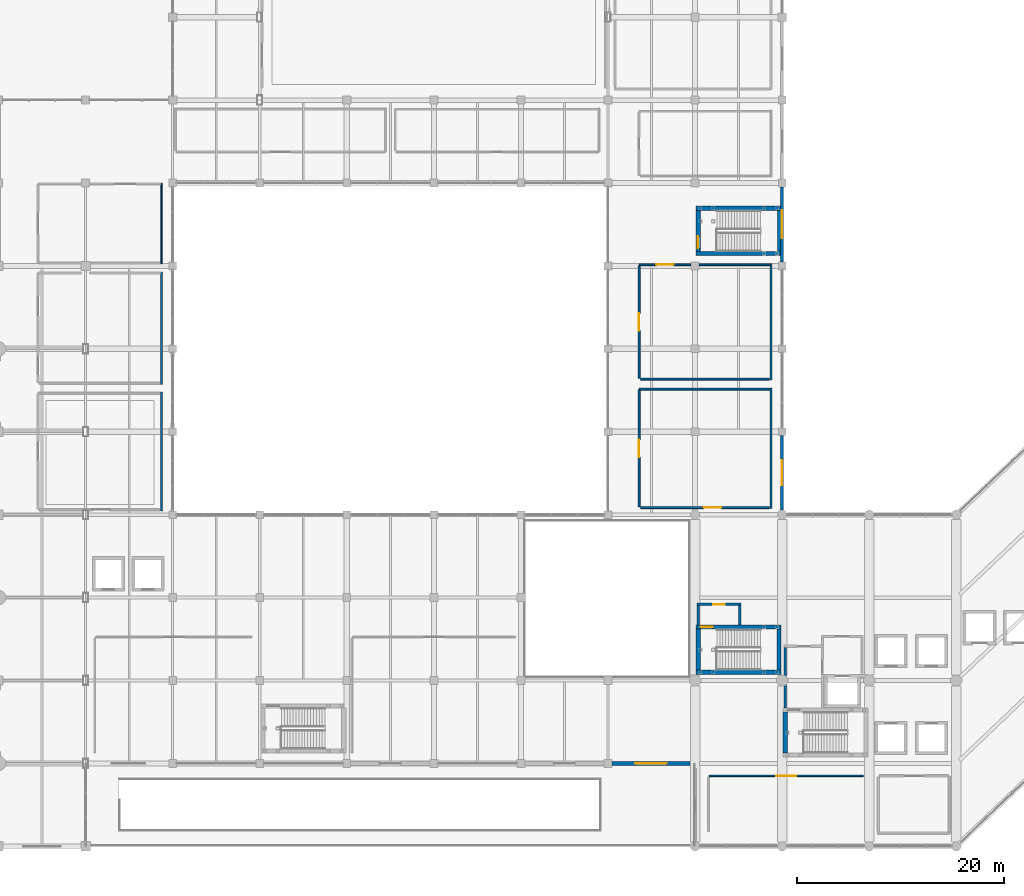
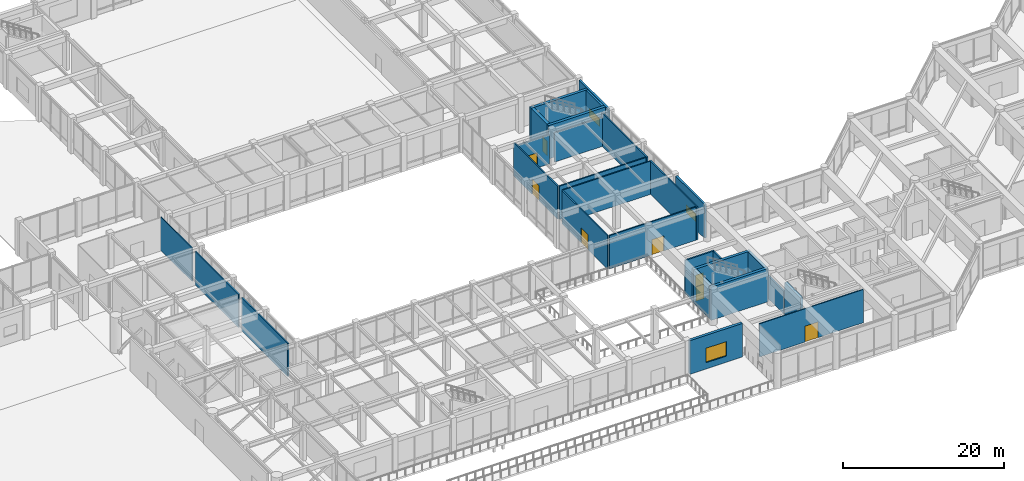
# One storey, part 59 of 79: 29 walls, 8 doors, 3 windows, 11 openings.
"""IFC4 building model written with IfcOpenShell, lengths in metres."""

from ifc_helpers import new_model, si_unit, direction, frame, frame_2d, origin, place, context, subcontext, project, spatial, rectangle, extrude, material, layer, layer_set, type_object, element, fill, save


model = new_model("IFC4")

# Units and contexts
model_context = context("Model", 3, precision=1e-05, world=origin(), true_north=direction((0.0, 1.0)))
body_context = subcontext(model_context, "Body", "Model", "MODEL_VIEW")
ifc_project = project(units=[si_unit("LENGTHUNIT", "METRE"), si_unit("AREAUNIT", "SQUARE_METRE"), si_unit("VOLUMEUNIT", "CUBIC_METRE"), si_unit("PLANEANGLEUNIT", "RADIAN"), si_unit("MASSUNIT", "GRAM", prefix="KILO")], contexts=[model_context])

# Site, building, storey
site_placement = place(None, origin())
site = spatial("IfcSite", under=ifc_project, at=site_placement, CompositionType="ELEMENT")
building_placement = place(site_placement, origin())
building = spatial("IfcBuilding", under=site, at=building_placement, Name="Naruveol Harbour Congress Hotel", CompositionType="ELEMENT")
storey_placement = place(building_placement, frame((0.0, 0.0, 6.0)))
storey = spatial("IfcBuildingStorey", under=building, at=storey_placement, Name="L01", CompositionType="ELEMENT", Elevation=6.0)

# Wall, opening, door
ifc_material_1 = material(Name="Autoclaved Aerated Concrete Block", Category="concrete")
ifc_layer_1 = layer(ifc_material_1, 0.179931640625)
ifc_layer_set_1 = layer_set([ifc_layer_1], Name="Autoclaved Aerated Concrete Block")
wall_type_1 = type_object("IfcWallType", Name="ACOUSTIC HALL PARTITION WALL 180 EI60", PredefinedType="PARTITIONING", material=ifc_layer_set_1)
wall_1_placement = place(storey_placement, frame((112.199951171875, 32.760009765625, 0.0), z_axis=(0.0, 0.0, 1.0), x_axis=(0.0, 1.0, 0.0)))
wall_1 = element("IfcWall", 1, at=wall_1_placement, inside=storey, type_object=wall_type_1, Name="Meeting Room 105 west entry wall PW-180", PredefinedType="PARTITIONING", context=body_context, shape_type="SweptSolid", body=[
    extrude(rectangle(XDim=11.280029296875, YDim=0.179931640625, at=frame_2d((5.64013671875, 0.0))), origin(), (0.0, 0.0, 1.0), 5.044921875),
])
opening_1_placement = place(wall_1_placement, frame((4.7900390625, 0.0, 0.0)))
opening_1 = element("IfcOpeningElement", 2, at=opening_1_placement, cuts=wall_1, Name="Opening ID-MT-49", PredefinedType="OPENING", context=body_context, shape_type="SweptSolid", body=[
    extrude(rectangle(XDim=1.699951171875, YDim=2.300048828125, at=frame_2d((0.85009765625, 1.14990234375))), frame((0.0, 0.099853515625, 0.0), z_axis=(0.0, -1.0, 0.0), x_axis=(1.0, 0.0, 0.0)), (0.0, 0.0, 1.0), 0.199951171875),
])
ifc_material_2 = material(Name="Timber & Steel Acoustic Leaf", Category="steel")
door_type_1 = type_object("IfcDoorType", Name="MEETING SALON DOUBLE DOOR 1700X2300", OperationType="DOUBLE_DOOR_SINGLE_SWING", PredefinedType="DOOR", material=ifc_material_2)
door_1_placement = place(opening_1_placement, origin())
door_1 = element("IfcDoor", 3, at=door_1_placement, inside=storey, type_object=door_type_1, Name="Meeting Room 105 Entrance Door", OperationType="DOUBLE_DOOR_SINGLE_SWING", OverallHeight=2.300048828125, OverallWidth=1.699951171875, PredefinedType="DOOR", context=body_context, shape_type="SweptSolid", body=[
    extrude(rectangle(XDim=1.699951171875, YDim=2.300048828125, at=frame_2d((0.85009765625, 1.14990234375))), frame((0.0, 0.02490234375, 0.0), z_axis=(0.0, -1.0, 0.0), x_axis=(1.0, 0.0, 0.0)), (0.0, 0.0, 1.0), 0.050048828125),
])
fill(opening_1, door_1)

wall_2_placement = place(storey_placement, frame((112.340087890625, 32.679931640625, 0.0), z_axis=(0.0, 0.0, 1.0), x_axis=(1.0, 0.0, 0.0)))
wall_2 = element("IfcWall", 4, at=wall_2_placement, inside=storey, type_object=wall_type_1, Name="Meeting Room 105 south partition PW-180", PredefinedType="PARTITIONING", context=body_context, shape_type="SweptSolid", body=[
    extrude(rectangle(XDim=12.409912109375, YDim=0.179931640625, at=frame_2d((6.205078125, 0.0))), origin(), (0.0, 0.0, 1.0), 5.044921875),
])
opening_2_placement = place(wall_2_placement, frame((6.10009765625, 0.0, 0.0)))
opening_2 = element("IfcOpeningElement", 5, at=opening_2_placement, cuts=wall_2, Name="Opening ID-MT-49B", PredefinedType="OPENING", context=body_context, shape_type="SweptSolid", body=[
    extrude(rectangle(XDim=1.699951171875, YDim=2.300048828125, at=frame_2d((0.85009765625, 1.14990234375))), frame((0.0, 0.099853515625, 0.0), z_axis=(0.0, -1.0, 0.0), x_axis=(1.0, 0.0, 0.0)), (0.0, 0.0, 1.0), 0.199951171875),
])
door_2_placement = place(opening_2_placement, origin())
door_2 = element("IfcDoor", 6, at=door_2_placement, inside=storey, type_object=door_type_1, Name="Meeting Room 105 Second Exit Door", OperationType="DOUBLE_DOOR_SINGLE_SWING", OverallHeight=2.300048828125, OverallWidth=1.699951171875, PredefinedType="DOOR", context=body_context, shape_type="SweptSolid", body=[
    extrude(rectangle(XDim=1.699951171875, YDim=2.300048828125, at=frame_2d((0.85009765625, 1.14990234375))), frame((0.0, 0.02490234375, 0.0), z_axis=(0.0, -1.0, 0.0), x_axis=(1.0, 0.0, 0.0)), (0.0, 0.0, 1.0), 0.050048828125),
])
fill(opening_2, door_2)

wall_3_placement = place(storey_placement, frame((112.199951171875, 45.159912109375, 0.0), z_axis=(0.0, 0.0, 1.0), x_axis=(0.0, 1.0, 0.0)))
wall_3 = element("IfcWall", 7, at=wall_3_placement, inside=storey, type_object=wall_type_1, Name="Meeting Room 106 west entry wall PW-180", PredefinedType="PARTITIONING", context=body_context, shape_type="SweptSolid", body=[
    extrude(rectangle(XDim=10.880126953125, YDim=0.179931640625, at=frame_2d((5.43994140625, 0.0))), origin(), (0.0, 0.0, 1.0), 5.044921875),
])
opening_3_placement = place(wall_3_placement, frame((4.590087890625, 0.0, 0.0)))
opening_3 = element("IfcOpeningElement", 8, at=opening_3_placement, cuts=wall_3, Name="Opening ID-MT-50", PredefinedType="OPENING", context=body_context, shape_type="SweptSolid", body=[
    extrude(rectangle(XDim=1.699951171875, YDim=2.300048828125, at=frame_2d((0.85009765625, 1.14990234375))), frame((0.0, 0.099853515625, 0.0), z_axis=(0.0, -1.0, 0.0), x_axis=(1.0, 0.0, 0.0)), (0.0, 0.0, 1.0), 0.199951171875),
])
door_3_placement = place(opening_3_placement, origin())
door_3 = element("IfcDoor", 9, at=door_3_placement, inside=storey, type_object=door_type_1, Name="Meeting Room 106 Entrance Door", OperationType="DOUBLE_DOOR_SINGLE_SWING", OverallHeight=2.300048828125, OverallWidth=1.699951171875, PredefinedType="DOOR", context=body_context, shape_type="SweptSolid", body=[
    extrude(rectangle(XDim=1.699951171875, YDim=2.300048828125, at=frame_2d((0.85009765625, 1.14990234375))), frame((0.0, 0.02490234375, 0.0), z_axis=(0.0, -1.0, 0.0), x_axis=(1.0, 0.0, 0.0)), (0.0, 0.0, 1.0), 0.050048828125),
])
fill(opening_3, door_3)

# Walls
wall_4_placement = place(storey_placement, frame((112.340087890625, 45.080078125, 0.0), z_axis=(0.0, 0.0, 1.0), x_axis=(1.0, 0.0, 0.0)))
element("IfcWall", 10, at=wall_4_placement, inside=storey, type_object=wall_type_1, Name="Meeting Room 106 south partition PW-180", PredefinedType="PARTITIONING", context=body_context, shape_type="SweptSolid", body=[
    extrude(rectangle(XDim=12.409912109375, YDim=0.179931640625, at=frame_2d((6.205078125, 0.0))), origin(), (0.0, 0.0, 1.0), 5.044921875),
])
wall_5_placement = place(storey_placement, frame((66.1201171875, 32.39990234375, 0.0), z_axis=(0.0, 0.0, 1.0), x_axis=(0.0, 1.0, 0.0)))
element("IfcWall", 11, at=wall_5_placement, inside=storey, type_object=wall_type_1, Name="Meeting Room 101 east enclosure partition PW-180", PredefinedType="PARTITIONING", context=body_context, shape_type="SweptSolid", body=[
    extrude(rectangle(XDim=11.400146484375, YDim=0.179931640625, at=frame_2d((5.7001953125, 0.0))), origin(), (0.0, 0.0, 1.0), 5.044921875),
])
wall_6_placement = place(storey_placement, frame((66.1201171875, 44.60009765625, 0.0), z_axis=(0.0, 0.0, 1.0), x_axis=(0.0, 1.0, 0.0)))
element("IfcWall", 12, at=wall_6_placement, inside=storey, type_object=wall_type_1, Name="Meeting Room 102 east enclosure partition PW-180", PredefinedType="PARTITIONING", context=body_context, shape_type="SweptSolid", body=[
    extrude(rectangle(XDim=10.7998046875, YDim=0.179931640625, at=frame_2d((5.39990234375, 0.0))), origin(), (0.0, 0.0, 1.0), 5.044921875),
])
wall_7_placement = place(storey_placement, frame((124.919921875, 32.60009765625, 0.0), z_axis=(0.0, 0.0, 1.0), x_axis=(0.0, 1.0, 0.0)))
element("IfcWall", 13, at=wall_7_placement, inside=storey, type_object=wall_type_1, Name="Meeting Room 105 east enclosure partition PW-180", PredefinedType="PARTITIONING", context=body_context, shape_type="SweptSolid", body=[
    extrude(rectangle(XDim=11.599853515625, YDim=0.179931640625, at=frame_2d((5.7998046875, 0.0))), origin(), (0.0, 0.0, 1.0), 5.044921875),
])
wall_8_placement = place(storey_placement, frame((112.23193359375, 44.1201171875, 0.0), z_axis=(0.0, 0.0, 1.0), x_axis=(1.0, 0.0, 0.0)))
element("IfcWall", 14, at=wall_8_placement, inside=storey, type_object=wall_type_1, Name="Meeting Room 105 north enclosure partition PW-180", PredefinedType="PARTITIONING", context=body_context, shape_type="SweptSolid", body=[
    extrude(rectangle(XDim=12.59814453125, YDim=0.179931640625, at=frame_2d((6.299072265625, 0.0))), origin(), (0.0, 0.0, 1.0), 5.044921875),
])
wall_9_placement = place(storey_placement, frame((124.919921875, 45.0, 0.0), z_axis=(0.0, 0.0, 1.0), x_axis=(0.0, 1.0, 0.0)))
element("IfcWall", 15, at=wall_9_placement, inside=storey, type_object=wall_type_1, Name="Meeting Room 106 east enclosure partition PW-180", PredefinedType="PARTITIONING", context=body_context, shape_type="SweptSolid", body=[
    extrude(rectangle(XDim=11.199951171875, YDim=0.179931640625, at=frame_2d((5.60009765625, 0.0))), origin(), (0.0, 0.0, 1.0), 5.044921875),
])

# Wall, opening, door
wall_10_placement = place(storey_placement, frame((112.23193359375, 56.1201171875, 0.0), z_axis=(0.0, 0.0, 1.0), x_axis=(1.0, 0.0, 0.0)))
wall_10 = element("IfcWall", 16, at=wall_10_placement, inside=storey, type_object=wall_type_1, Name="Meeting Room 106 north enclosure partition PW-180", PredefinedType="PARTITIONING", context=body_context, shape_type="SweptSolid", body=[
    extrude(rectangle(XDim=4.9931640625, YDim=0.179931640625, at=frame_2d((2.49658203125, 0.0))), origin(), (0.0, 0.0, 1.0), 4.449951171875),
])
opening_4_placement = place(wall_10_placement, frame((1.60009765625, 0.0, 0.0)))
opening_4 = element("IfcOpeningElement", 17, at=opening_4_placement, cuts=wall_10, Name="Opening ID-MT-50B", PredefinedType="OPENING", context=body_context, shape_type="SweptSolid", body=[
    extrude(rectangle(XDim=1.699951171875, YDim=2.300048828125, at=frame_2d((0.85009765625, 1.14990234375))), frame((0.0, 0.099853515625, 0.0), z_axis=(0.0, -1.0, 0.0), x_axis=(1.0, 0.0, 0.0)), (0.0, 0.0, 1.0), 0.199951171875),
])
door_4_placement = place(opening_4_placement, origin())
door_4 = element("IfcDoor", 18, at=door_4_placement, inside=storey, type_object=door_type_1, Name="Meeting Room 106 Second Exit Door", OperationType="DOUBLE_DOOR_SINGLE_SWING", OverallHeight=2.300048828125, OverallWidth=1.699951171875, PredefinedType="DOOR", context=body_context, shape_type="SweptSolid", body=[
    extrude(rectangle(XDim=1.699951171875, YDim=2.300048828125, at=frame_2d((0.85009765625, 1.14990234375))), frame((0.0, 0.02490234375, 0.0), z_axis=(0.0, -1.0, 0.0), x_axis=(1.0, 0.0, 0.0)), (0.0, 0.0, 1.0), 0.050048828125),
])
fill(opening_4, door_4)

# Wall
wall_11_placement = place(storey_placement, frame((117.97509765625, 56.1201171875, 0.0), z_axis=(0.0, 0.0, 1.0), x_axis=(1.0, 0.0, 0.0)))
element("IfcWall", 19, at=wall_11_placement, inside=storey, type_object=wall_type_1, Name="Meeting Room 106 north enclosure partition PW-180", PredefinedType="PARTITIONING", context=body_context, shape_type="SweptSolid", body=[
    extrude(rectangle(XDim=6.85498046875, YDim=0.179931640625, at=frame_2d((3.427490234375, 0.0))), origin(), (0.0, 0.0, 1.0), 4.449951171875),
])

# Wall, opening, door
ifc_material_3 = material(Name="Acoustic Double Stud Gypsum", Category="gypsum")
ifc_layer_2 = layer(ifc_material_3, 0.139892578125)
ifc_layer_set_2 = layer_set([ifc_layer_2], Name="Acoustic Double Stud Gypsum")
wall_type_2 = type_object("IfcWallType", Name="ACOUSTIC MEETING PARTITION WALL 140", PredefinedType="PARTITIONING", material=ifc_layer_set_2)
wall_12_placement = place(storey_placement, frame((118.9599609375, 6.800048828125, 0.0), z_axis=(0.0, 0.0, 1.0), x_axis=(1.0, 0.0, 0.0)))
wall_12 = element("IfcWall", 20, at=wall_12_placement, inside=storey, type_object=wall_type_2, Name="All-Day Harbour Dining Room north entry wall PW-140", PredefinedType="PARTITIONING", context=body_context, shape_type="SweptSolid", body=[
    extrude(rectangle(XDim=14.880126953125, YDim=0.139892578125, at=frame_2d((7.43994140625, 0.0))), origin(), (0.0, 0.0, 1.0), 5.044921875),
])
opening_5_placement = place(wall_12_placement, frame((6.489990234375, 0.0, 0.0)))
opening_5 = element("IfcOpeningElement", 21, at=opening_5_placement, cuts=wall_12, Name="Opening ID-LG-52", PredefinedType="OPENING", context=body_context, shape_type="SweptSolid", body=[
    extrude(rectangle(XDim=1.89990234375, YDim=2.39990234375, at=frame_2d((0.949951171875, 1.199951171875))), frame((0.0, 0.079833984375, 0.0), z_axis=(0.0, -1.0, 0.0), x_axis=(1.0, 0.0, 0.0)), (0.0, 0.0, 1.0), 0.159912109375),
])
ifc_material_4 = material(Name="Timber & Steel Acoustic Leaf", Category="steel")
door_type_2 = type_object("IfcDoorType", Name="RESTAURANT AND LOUNGE GLAZED DOOR 1900X2400", OperationType="DOUBLE_DOOR_SINGLE_SWING", PredefinedType="DOOR", material=ifc_material_4)
door_5_placement = place(opening_5_placement, origin())
door_5 = element("IfcDoor", 22, at=door_5_placement, inside=storey, type_object=door_type_2, Name="All-Day Harbour Dining Room Entrance Door", OperationType="DOUBLE_DOOR_SINGLE_SWING", OverallHeight=2.39990234375, OverallWidth=1.89990234375, PredefinedType="DOOR", context=body_context, shape_type="SweptSolid", body=[
    extrude(rectangle(XDim=1.89990234375, YDim=2.39990234375, at=frame_2d((0.949951171875, 1.199951171875))), frame((0.0, 0.02490234375, 0.0), z_axis=(0.0, -1.0, 0.0), x_axis=(1.0, 0.0, 0.0)), (0.0, 0.0, 1.0), 0.050048828125),
])
fill(opening_5, door_5)

# Wall
wall_13_placement = place(storey_placement, frame((66.1201171875, 56.199951171875, 0.0), z_axis=(0.0, 0.0, 1.0), x_axis=(0.0, 1.0, 0.0)))
element("IfcWall", 23, at=wall_13_placement, inside=storey, type_object=wall_type_2, Name="Breakout Salon 103 east enclosure partition PW-140", PredefinedType="PARTITIONING", context=body_context, shape_type="SweptSolid", body=[
    extrude(rectangle(XDim=7.800048828125, YDim=0.139892578125, at=frame_2d((3.89990234375, 0.0))), origin(), (0.0, 0.0, 1.0), 5.044921875),
])

# Wall, opening, window
ifc_material_5 = material(Name="Precast concrete C40/50", Category="concrete")
ifc_layer_3 = layer(ifc_material_5, 0.280029296875)
ifc_layer_set_3 = layer_set([ifc_layer_3], Name="Precast concrete C40/50")
wall_type_3 = type_object("IfcWallType", Name="ARCHITECTURAL PRECAST FACADE WALL 280", PredefinedType="SOLIDWALL", material=ifc_layer_set_3)
wall_14_placement = place(storey_placement, frame((126.0, 63.625, 0.0), z_axis=(0.0, 0.0, 1.0), x_axis=(0.0, -1.0, 0.0)))
wall_14 = element("IfcWall", 24, at=wall_14_placement, inside=storey, type_object=wall_type_3, Name="Courtyard wing east garden wall EW-280", PredefinedType="SOLIDWALL", context=body_context, shape_type="SweptSolid", body=[
    extrude(rectangle(XDim=7.25, YDim=0.280029296875, at=frame_2d((3.625, 0.0))), origin(), (0.0, 0.0, 1.0), 5.10009765625),
])
opening_6_placement = place(wall_14_placement, frame((2.27490234375, 0.0, 1.0)))
opening_6 = element("IfcOpeningElement", 25, at=opening_6_placement, cuts=wall_14, Name="Opening W-18", PredefinedType="OPENING", context=body_context, shape_type="SweptSolid", body=[
    extrude(rectangle(XDim=2.699951171875, YDim=1.199951171875, at=frame_2d((1.35009765625, 0.60009765625))), frame((0.0, 0.14990234375, 0.0), z_axis=(0.0, -1.0, 0.0), x_axis=(1.0, 0.0, 0.0)), (0.0, 0.0, 1.0), 0.300048828125),
])
ifc_material_6 = material(Name="Low-E Triple Glazing in Thermal Aluminium", Category="aluminium")
window_type_1 = type_object("IfcWindowType", Name="BANQUET KITCHEN CLERESTORY 2700X1200", PartitioningType="DOUBLE_PANEL_VERTICAL", PredefinedType="WINDOW", material=ifc_material_6)
window_1_placement = place(opening_6_placement, origin())
window_1 = element("IfcWindow", 26, at=window_1_placement, inside=storey, type_object=window_type_1, Name="Window W-18 #142", OverallHeight=1.199951171875, OverallWidth=2.699951171875, PartitioningType="DOUBLE_PANEL_VERTICAL", PredefinedType="WINDOW", context=body_context, shape_type="SweptSolid", body=[
    extrude(rectangle(XDim=2.699951171875, YDim=1.199951171875, at=frame_2d((1.35009765625, 0.60009765625))), frame((0.0, 0.030029296875, 0.0), z_axis=(0.0, -1.0, 0.0), x_axis=(1.0, 0.0, 0.0)), (0.0, 0.0, 1.0), 0.06005859375),
])
fill(opening_6, window_1)

wall_15_placement = place(storey_placement, frame((126.0, 39.625, 0.0), z_axis=(0.0, 0.0, 1.0), x_axis=(0.0, -1.0, 0.0)))
wall_15 = element("IfcWall", 27, at=wall_15_placement, inside=storey, type_object=wall_type_3, Name="Courtyard wing east garden wall EW-280", PredefinedType="SOLIDWALL", context=body_context, shape_type="SweptSolid", body=[
    extrude(rectangle(XDim=7.175048828125, YDim=0.280029296875, at=frame_2d((3.58740234375, 0.0))), origin(), (0.0, 0.0, 1.0), 5.10009765625),
])
opening_7_placement = place(wall_15_placement, frame((2.386962890625, 0.0, 1.0)))
opening_7 = element("IfcOpeningElement", 28, at=opening_7_placement, cuts=wall_15, Name="Opening W-19", PredefinedType="OPENING", context=body_context, shape_type="SweptSolid", body=[
    extrude(rectangle(XDim=2.39990234375, YDim=1.199951171875, at=frame_2d((1.199951171875, 0.60009765625))), frame((0.0, 0.14990234375, 0.0), z_axis=(0.0, -1.0, 0.0), x_axis=(1.0, 0.0, 0.0)), (0.0, 0.0, 1.0), 0.300048828125),
])
ifc_material_7 = material(Name="Low-E Triple Glazing in Thermal Aluminium", Category="aluminium")
window_type_2 = type_object("IfcWindowType", Name="AUDITORIUM ACOUSTIC CLERESTORY 2400X1200", PartitioningType="DOUBLE_PANEL_VERTICAL", PredefinedType="WINDOW", material=ifc_material_7)
window_2_placement = place(opening_7_placement, origin())
window_2 = element("IfcWindow", 29, at=window_2_placement, inside=storey, type_object=window_type_2, Name="Window W-19 #143", OverallHeight=1.199951171875, OverallWidth=2.39990234375, PartitioningType="DOUBLE_PANEL_VERTICAL", PredefinedType="WINDOW", context=body_context, shape_type="SweptSolid", body=[
    extrude(rectangle(XDim=2.39990234375, YDim=1.199951171875, at=frame_2d((1.199951171875, 0.60009765625))), frame((0.0, 0.030029296875, 0.0), z_axis=(0.0, -1.0, 0.0), x_axis=(1.0, 0.0, 0.0)), (0.0, 0.0, 1.0), 0.06005859375),
])
fill(opening_7, window_2)

# Walls
ifc_material_8 = material(Name="Concrete C40/50", Category="concrete")
ifc_layer_4 = layer(ifc_material_8, 0.219970703125)
ifc_layer_set_4 = layer_set([ifc_layer_4], Name="Concrete C40/50")
wall_type_4 = type_object("IfcWallType", Name="FIRE COMPARTMENT AND LOBBY WALL 220 EI120", PredefinedType="PARTITIONING", material=ifc_layer_set_4)
wall_16_placement = place(storey_placement, frame((126.300048828125, 13.364990234375, 0.0), z_axis=(0.0, 0.0, 1.0), x_axis=(0.0, 1.0, 0.0)))
element("IfcWall", 30, at=wall_16_placement, inside=storey, type_object=wall_type_4, Name="Smoke vestibule ST1 west wall FW-220", PredefinedType="PARTITIONING", context=body_context, shape_type="SweptSolid", body=[
    extrude(rectangle(XDim=5.820068359375, YDim=0.219970703125, at=frame_2d((2.91015625, 0.0))), origin(), (0.0, 0.0, 1.0), 3.449951171875),
])
wall_17_placement = place(storey_placement, frame((117.89990234375, 21.364990234375, 0.0), z_axis=(0.0, 0.0, 1.0), x_axis=(0.0, 1.0, 0.0)))
element("IfcWall", 31, at=wall_17_placement, inside=storey, type_object=wall_type_4, Name="Smoke vestibule ST3 west wall FW-220", PredefinedType="PARTITIONING", context=body_context, shape_type="SweptSolid", body=[
    extrude(rectangle(XDim=1.8701171875, YDim=0.219970703125, at=frame_2d((0.93505859375, 0.0))), origin(), (0.0, 0.0, 1.0), 3.449951171875),
])

# Wall, opening, door
wall_18_placement = place(storey_placement, frame((117.7900390625, 23.35009765625, 0.0), z_axis=(0.0, 0.0, 1.0), x_axis=(1.0, 0.0, 0.0)))
wall_18 = element("IfcWall", 32, at=wall_18_placement, inside=storey, type_object=wall_type_4, Name="Smoke vestibule ST3 north wall FW-220", PredefinedType="PARTITIONING", context=body_context, shape_type="SweptSolid", body=[
    extrude(rectangle(XDim=4.219970703125, YDim=0.219970703125, at=frame_2d((2.10986328125, 0.0))), origin(), (0.0, 0.0, 1.0), 5.044921875),
])
opening_8_placement = place(wall_18_placement, frame((1.550048828125, 0.0, 0.0)))
opening_8 = element("IfcOpeningElement", 33, at=opening_8_placement, cuts=wall_18, Name="Opening FD-ST3-V-L01", PredefinedType="OPENING", context=body_context, shape_type="SweptSolid", body=[
    extrude(rectangle(XDim=1.1201171875, YDim=2.199951171875, at=frame_2d((0.56005859375, 1.10009765625))), frame((0.0, 0.119873046875, 0.0), z_axis=(0.0, -1.0, 0.0), x_axis=(1.0, 0.0, 0.0)), (0.0, 0.0, 1.0), 0.239990234375),
])
ifc_material_9 = material(Name="Timber & Steel Acoustic Leaf", Category="steel")
door_type_3 = type_object("IfcDoorType", Name="VESTIBULE SMOKE CONTROL FIRE DOOR 1120X2200", OperationType="NOTDEFINED", PredefinedType="DOOR", material=ifc_material_9)
door_6_placement = place(opening_8_placement, origin())
door_6 = element("IfcDoor", 34, at=door_6_placement, inside=storey, type_object=door_type_3, Name="Smoke Vestibule Entry Door ST3 L01", OperationType="SINGLE_SWING_LEFT", OverallHeight=2.199951171875, OverallWidth=1.1201171875, PredefinedType="DOOR", context=body_context, shape_type="SweptSolid", body=[
    extrude(rectangle(XDim=1.1201171875, YDim=2.199951171875, at=frame_2d((0.56005859375, 1.10009765625))), frame((0.0, 0.02490234375, 0.0), z_axis=(0.0, -1.0, 0.0), x_axis=(1.0, 0.0, 0.0)), (0.0, 0.0, 1.0), 0.050048828125),
])
fill(opening_8, door_6)

# Wall
wall_19_placement = place(storey_placement, frame((121.89990234375, 21.364990234375, 0.0), z_axis=(0.0, 0.0, 1.0), x_axis=(0.0, 1.0, 0.0)))
element("IfcWall", 35, at=wall_19_placement, inside=storey, type_object=wall_type_4, Name="Smoke vestibule ST3 east wall FW-220", PredefinedType="PARTITIONING", context=body_context, shape_type="SweptSolid", body=[
    extrude(rectangle(XDim=1.8701171875, YDim=0.219970703125, at=frame_2d((0.93505859375, 0.0))), origin(), (0.0, 0.0, 1.0), 5.044921875),
])

# Wall, opening, window
ifc_material_10 = material(Name="Concrete C40/50", Category="concrete")
ifc_layer_5 = layer(ifc_material_10, 0.3798828125)
ifc_layer_set_5 = layer_set([ifc_layer_5], Name="Concrete C40/50")
wall_type_5 = type_object("IfcWallType", Name="INSULATED GRANITE FACADE WALL 380", PredefinedType="SOLIDWALL", material=ifc_layer_set_5)
wall_20_placement = place(storey_placement, frame((117.1201171875, 8.0, 0.0), z_axis=(0.0, 0.0, 1.0), x_axis=(-1.0, 0.0, 0.0)))
wall_20 = element("IfcWall", 36, at=wall_20_placement, inside=storey, type_object=wall_type_5, Name="Courtyard wing south facade EW-380", PredefinedType="SOLIDWALL", context=body_context, shape_type="SweptSolid", body=[
    extrude(rectangle(XDim=7.545166015625, YDim=0.3798828125, at=frame_2d((3.7724609375, 0.0))), origin(), (0.0, 0.0, 1.0), 5.10009765625),
])
opening_9_placement = place(wall_20_placement, frame((2.27294921875, 0.0, 0.949951171875)))
opening_9 = element("IfcOpeningElement", 37, at=opening_9_placement, cuts=wall_20, Name="Opening W-10", PredefinedType="OPENING", context=body_context, shape_type="SweptSolid", body=[
    extrude(rectangle(XDim=3.0, YDim=2.199951171875, at=frame_2d((1.5, 1.10009765625))), frame((0.0, 0.199951171875, 0.0), z_axis=(0.0, -1.0, 0.0), x_axis=(1.0, 0.0, 0.0)), (0.0, 0.0, 1.0), 0.39990234375),
])
ifc_material_11 = material(Name="Low-E Triple Glazing in Thermal Aluminium", Category="aluminium")
window_type_3 = type_object("IfcWindowType", Name="SKY LOUNGE RIBBON WINDOW 3000X2200", PartitioningType="DOUBLE_PANEL_VERTICAL", PredefinedType="WINDOW", material=ifc_material_11)
window_3_placement = place(opening_9_placement, origin())
window_3 = element("IfcWindow", 38, at=window_3_placement, inside=storey, type_object=window_type_3, Name="Window W-10 #139", OverallHeight=2.199951171875, OverallWidth=3.0, PartitioningType="DOUBLE_PANEL_VERTICAL", PredefinedType="WINDOW", context=body_context, shape_type="SweptSolid", body=[
    extrude(rectangle(XDim=3.0, YDim=2.199951171875, at=frame_2d((1.5, 1.10009765625))), frame((0.0, 0.030029296875, 0.0), z_axis=(0.0, -1.0, 0.0), x_axis=(1.0, 0.0, 0.0)), (0.0, 0.0, 1.0), 0.06005859375),
])
fill(opening_9, window_3)

# Walls
ifc_material_12 = material(Name="Concrete C50/60", Category="concrete")
ifc_layer_6 = layer(ifc_material_12, 0.39990234375)
ifc_layer_set_6 = layer_set([ifc_layer_6], Name="Concrete C50/60")
wall_type_6 = type_object("IfcWallType", Name="RC CORE SHEAR WALL 400 EI120", PredefinedType="SHEAR", material=ifc_layer_set_6)
wall_21_placement = place(storey_placement, frame((126.300048828125, 9.0048828125, 0.0), z_axis=(0.0, 0.0, 1.0), x_axis=(0.0, 1.0, 0.0)))
element("IfcWall", 39, at=wall_21_placement, inside=storey, type_object=wall_type_6, Name="Stair ST1 west core wall CW-400", PredefinedType="SHEAR", context=body_context, shape_type="SweptSolid", body=[
    extrude(rectangle(XDim=3.9501953125, YDim=0.39990234375, at=frame_2d((1.97509765625, 0.0))), origin(), (0.0, 0.0, 1.0), 5.044921875),
])
wall_22_placement = place(storey_placement, frame((117.699951171875, 16.800048828125, 0.0), z_axis=(0.0, 0.0, 1.0), x_axis=(1.0, 0.0, 0.0)))
element("IfcWall", 40, at=wall_22_placement, inside=storey, type_object=wall_type_6, Name="Stair ST3 south core wall CW-400", PredefinedType="SHEAR", context=body_context, shape_type="SweptSolid", body=[
    extrude(rectangle(XDim=8.199951171875, YDim=0.39990234375, at=frame_2d((4.10009765625, 0.0))), origin(), (0.0, 0.0, 1.0), 5.044921875),
])
wall_23_placement = place(storey_placement, frame((125.699951171875, 17.0048828125, 0.0), z_axis=(0.0, 0.0, 1.0), x_axis=(0.0, 1.0, 0.0)))
element("IfcWall", 41, at=wall_23_placement, inside=storey, type_object=wall_type_6, Name="Stair ST3 east core wall CW-400", PredefinedType="SHEAR", context=body_context, shape_type="SweptSolid", body=[
    extrude(rectangle(XDim=3.9501953125, YDim=0.39990234375, at=frame_2d((1.97509765625, 0.0))), origin(), (0.0, 0.0, 1.0), 5.044921875),
])

# Wall, opening, door
wall_24_placement = place(storey_placement, frame((117.699951171875, 21.159912109375, 0.0), z_axis=(0.0, 0.0, 1.0), x_axis=(1.0, 0.0, 0.0)))
wall_24 = element("IfcWall", 42, at=wall_24_placement, inside=storey, type_object=wall_type_6, Name="Stair ST3 north core wall CW-400", PredefinedType="SHEAR", context=body_context, shape_type="SweptSolid", body=[
    extrude(rectangle(XDim=8.199951171875, YDim=0.39990234375, at=frame_2d((4.10009765625, 0.0))), origin(), (0.0, 0.0, 1.0), 5.044921875),
])
opening_10_placement = place(wall_24_placement, frame((0.429931640625, 0.0, 0.0)))
opening_10 = element("IfcOpeningElement", 43, at=opening_10_placement, cuts=wall_24, Name="Opening FD-ST3-S-L01", PredefinedType="OPENING", context=body_context, shape_type="SweptSolid", body=[
    extrude(rectangle(XDim=1.159912109375, YDim=2.199951171875, at=frame_2d((0.580078125, 1.10009765625))), frame((0.0, 0.2099609375, 0.0), z_axis=(0.0, -1.0, 0.0), x_axis=(1.0, 0.0, 0.0)), (0.0, 0.0, 1.0), 0.419921875),
])
ifc_material_13 = material(Name="Timber & Steel Acoustic Leaf", Category="steel")
door_type_4 = type_object("IfcDoorType", Name="SPECIAL ESCAPE STAIR FIRE DOOR 1160X2200", OperationType="NOTDEFINED", PredefinedType="DOOR", material=ifc_material_13)
door_7_placement = place(opening_10_placement, origin())
door_7 = element("IfcDoor", 44, at=door_7_placement, inside=storey, type_object=door_type_4, Name="Special Escape Stair Door ST3 L01", OperationType="SINGLE_SWING_RIGHT", OverallHeight=2.199951171875, OverallWidth=1.159912109375, PredefinedType="DOOR", context=body_context, shape_type="SweptSolid", body=[
    extrude(rectangle(XDim=1.159912109375, YDim=2.199951171875, at=frame_2d((0.580078125, 1.10009765625))), frame((0.0, 0.02490234375, 0.0), z_axis=(0.0, -1.0, 0.0), x_axis=(1.0, 0.0, 0.0)), (0.0, 0.0, 1.0), 0.050048828125),
])
fill(opening_10, door_7)

# Walls
wall_25_placement = place(storey_placement, frame((117.89990234375, 17.0048828125, 0.0), z_axis=(0.0, 0.0, 1.0), x_axis=(0.0, 1.0, 0.0)))
element("IfcWall", 45, at=wall_25_placement, inside=storey, type_object=wall_type_6, Name="Stair ST3 west core wall CW-400", PredefinedType="SHEAR", context=body_context, shape_type="SweptSolid", body=[
    extrude(rectangle(XDim=3.9501953125, YDim=0.39990234375, at=frame_2d((1.97509765625, 0.0))), origin(), (0.0, 0.0, 1.0), 5.044921875),
])
for number, where, z_axis, x_axis, name in (
    (46, (117.699951171875, 57.199951171875, 0.0), (0.0, 0.0, 1.0), (1.0, 0.0, 0.0), "Stair ST9 south core wall CW-400"),
    (47, (117.699951171875, 61.56005859375, 0.0), (0.0, 0.0, 1.0), (1.0, 0.0, 0.0), "Stair ST9 north core wall CW-400"),
):
    element("IfcWall", number, at=place(storey_placement, frame(where, z_axis=z_axis, x_axis=x_axis)), inside=storey, type_object=wall_type_6, Name=name, PredefinedType="SHEAR", context=body_context, shape_type="SweptSolid", body=[
        extrude(rectangle(XDim=8.150146484375, YDim=0.39990234375, at=frame_2d((4.0751953125, 0.0))), origin(), (0.0, 0.0, 1.0), 5.044921875),
    ])

# Wall, opening, door
wall_26_placement = place(storey_placement, frame((117.89990234375, 57.405029296875, 0.0), z_axis=(0.0, 0.0, 1.0), x_axis=(0.0, 1.0, 0.0)))
wall_26 = element("IfcWall", 48, at=wall_26_placement, inside=storey, type_object=wall_type_6, Name="Stair ST9 west core wall CW-400", PredefinedType="SHEAR", context=body_context, shape_type="SweptSolid", body=[
    extrude(rectangle(XDim=3.949951171875, YDim=0.39990234375, at=frame_2d((1.97509765625, 0.0))), origin(), (0.0, 0.0, 1.0), 5.044921875),
])
opening_11_placement = place(wall_26_placement, frame((0.280029296875, 0.0, 0.0)))
opening_11 = element("IfcOpeningElement", 49, at=opening_11_placement, cuts=wall_26, Name="Opening FD-ST9-L01", PredefinedType="OPENING", context=body_context, shape_type="SweptSolid", body=[
    extrude(rectangle(XDim=1.159912109375, YDim=2.199951171875, at=frame_2d((0.580078125, 1.10009765625))), frame((0.0, 0.2099609375, 0.0), z_axis=(0.0, -1.0, 0.0), x_axis=(1.0, 0.0, 0.0)), (0.0, 0.0, 1.0), 0.419921875),
])
door_8_placement = place(opening_11_placement, origin())
door_8 = element("IfcDoor", 50, at=door_8_placement, inside=storey, type_object=door_type_4, Name="Enclosed Exit Stair Door ST9 L01", OperationType="SINGLE_SWING_LEFT", OverallHeight=2.199951171875, OverallWidth=1.159912109375, PredefinedType="DOOR", context=body_context, shape_type="SweptSolid", body=[
    extrude(rectangle(XDim=1.159912109375, YDim=2.199951171875, at=frame_2d((0.580078125, 1.10009765625))), frame((0.0, 0.02490234375, 0.0), z_axis=(0.0, -1.0, 0.0), x_axis=(1.0, 0.0, 0.0)), (0.0, 0.0, 1.0), 0.050048828125),
])
fill(opening_11, door_8)

# Wall
ifc_material_14 = material(Name="Concrete C50/60", Category="concrete")
ifc_layer_7 = layer(ifc_material_14, 0.300048828125)
ifc_layer_set_7 = layer_set([ifc_layer_7], Name="Concrete C50/60")
wall_type_7 = type_object("IfcWallType", Name="RC STAIR AND HOISTWAY SHEAR WALL 300 EI120", PredefinedType="SHEAR", material=ifc_layer_set_7)
wall_27_placement = place(storey_placement, frame((125.699951171875, 57.405029296875, 0.0), z_axis=(0.0, 0.0, 1.0), x_axis=(0.0, 1.0, 0.0)))
element("IfcWall", 51, at=wall_27_placement, inside=storey, type_object=wall_type_7, Name="Stair ST9 east core wall SW-300", PredefinedType="SHEAR", context=body_context, shape_type="SweptSolid", body=[
    extrude(rectangle(XDim=3.949951171875, YDim=0.300048828125, at=frame_2d((1.97509765625, 0.0))), origin(), (0.0, 0.0, 1.0), 5.044921875),
])

save(model, "model.ifc")
